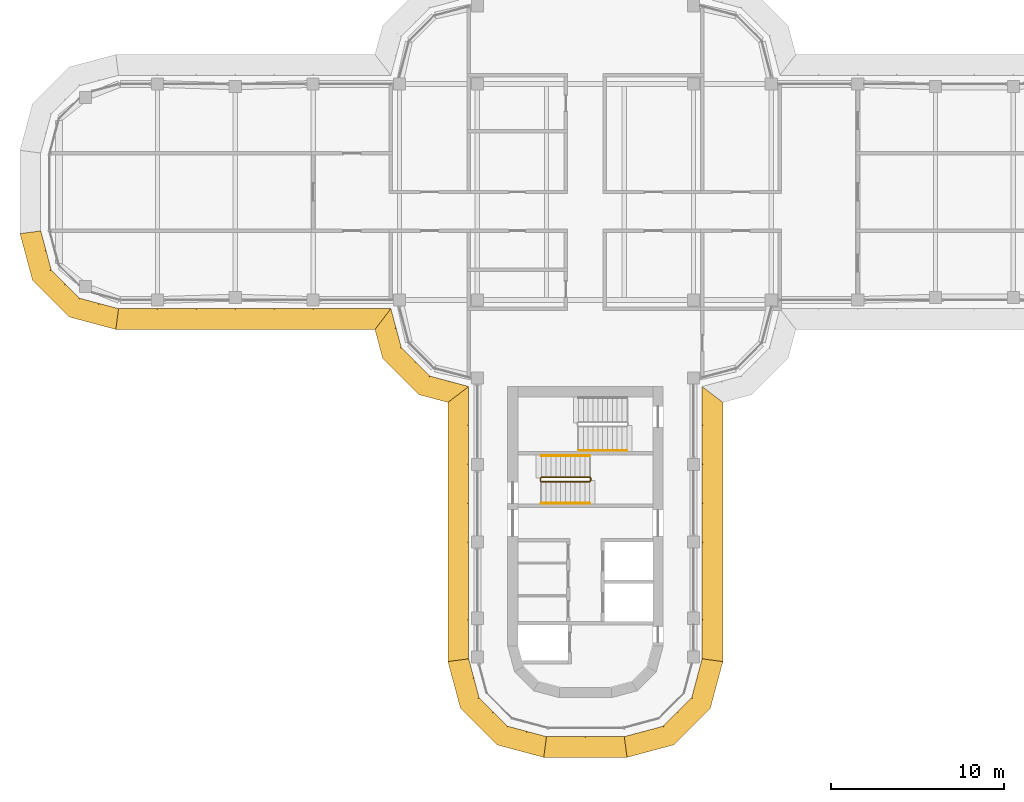
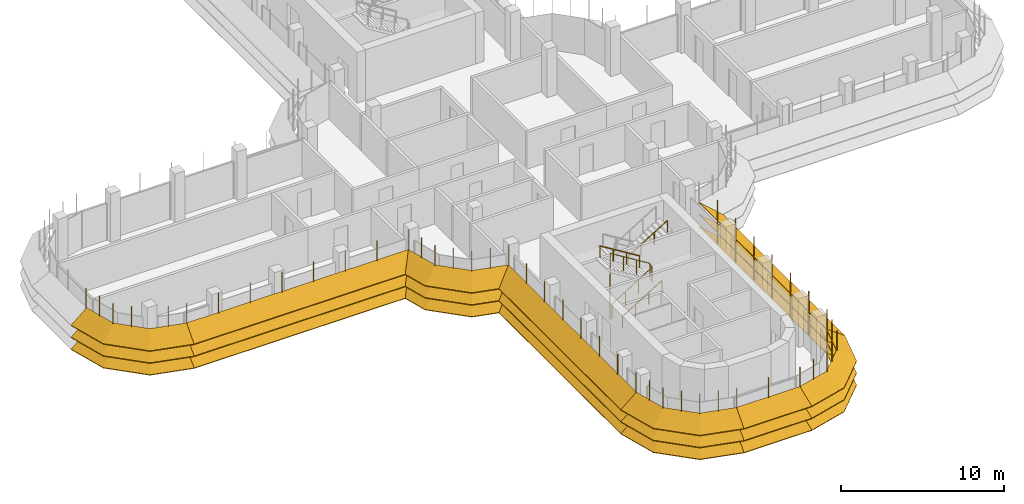
# One storey, part 17 of 19: 8 shading devices, 4 railings.
"""IFC4 building model written with IfcOpenShell, lengths in metres."""

from ifc_helpers import new_model, si_unit, direction, frame, origin, origin_2d, place, context, subcontext, project, spatial, polyline, circle, outline, extrude, faceted_brep, source, transform, mapped, material, type_object, element, save


model = new_model("IFC4")

# Units and contexts
model_context = context("Model", 3, precision=1e-05, world=origin(), true_north=direction((0.0, 1.0)))
body_context = subcontext(model_context, "Body", "Model", "MODEL_VIEW")
ifc_project = project(units=[si_unit("LENGTHUNIT", "METRE"), si_unit("AREAUNIT", "SQUARE_METRE"), si_unit("VOLUMEUNIT", "CUBIC_METRE"), si_unit("PLANEANGLEUNIT", "RADIAN"), si_unit("MASSUNIT", "GRAM", prefix="KILO")], contexts=[model_context])

# Site, building, storey
site_placement = place(None, origin())
site = spatial("IfcSite", under=ifc_project, at=site_placement, CompositionType="ELEMENT")
building_placement = place(site_placement, origin())
building = spatial("IfcBuilding", under=site, at=building_placement, Name="Zarbagh Exchange Tower", CompositionType="ELEMENT")
storey_placement = place(building_placement, frame((0.0, 0.0, 195.39990234375)))
storey = spatial("IfcBuildingStorey", under=building, at=storey_placement, Name="L47", CompositionType="ELEMENT", Elevation=195.39990234375)

# Railings
ifc_material_1 = material(Name="Stainless steel", Category="steel")
railing_type_1 = type_object("IfcRailingType", Name="Stair guard 1100 mm", PredefinedType="GUARDRAIL", material=ifc_material_1)
railing_1_placement = place(storey_placement, frame((-2.550048828125, -16.75, 0.1728515625)))
element("IfcRailing", 1, at=railing_1_placement, inside=storey, type_object=railing_type_1, Name="ST3 stair guard 1", PredefinedType="GUARDRAIL", context=body_context, shape_type="SweptSolid", body=[
    extrude(circle(Radius=0.02392578125, at=origin_2d()), frame((0.0, 0.0, 1.076171875), z_axis=(0.851089632645, 0.0, 0.525020415988), x_axis=(0.0, 1.0, 0.0)), (0.0, 0.0, 1.0), 3.2900390625),
    extrude(circle(Radius=0.02392578125, at=origin_2d()), frame((2.800048828125, 0.0, 2.80322265625), z_axis=(0.707106781187, 0.707106781187, 0.0), x_axis=(-0.707106781187, 0.707106781187, 0.0)), (0.0, 0.0, 1.0), 0.07080078125),
    extrude(circle(Radius=0.02392578125, at=origin_2d()), frame((2.85009765625, 0.050048828125, 2.80322265625), z_axis=(0.0, 1.0, 0.0), x_axis=(-1.0, 0.0, 0.0)), (0.0, 0.0, 1.0), 0.14990234375),
    extrude(circle(Radius=0.02392578125, at=origin_2d()), frame((2.85009765625, 0.199951171875, 2.80322265625), z_axis=(-0.268277960024, 0.268277960024, 0.925231793839), x_axis=(-0.707106781187, -0.707106781187, 0.0)), (0.0, 0.0, 1.0), 0.1865234375),
    extrude(circle(Radius=0.02392578125, at=origin_2d()), frame((2.800048828125, 0.25, 2.97607421875), z_axis=(-0.851089632645, 0.0, 0.525020415988), x_axis=(0.0, -1.0, 0.0)), (0.0, 0.0, 1.0), 3.2900390625),
    extrude(circle(Radius=0.02392578125, at=origin_2d()), frame((0.0, 0.25, 4.703125), z_axis=(-0.013168290981, -0.013168290981, -0.999826581076), x_axis=(0.707106781187, -0.707106781187, 0.0)), (0.0, 0.0, 1.0), 3.80078125),
    extrude(circle(Radius=0.02392578125, at=origin_2d()), frame((-0.050048828125, 0.199951171875, 0.9033203125), z_axis=(0.0, -1.0, 0.0), x_axis=(1.0, 0.0, 0.0)), (0.0, 0.0, 1.0), 0.14990234375),
    extrude(circle(Radius=0.02099609375, at=origin_2d()), origin(), (0.0, 0.0, 1.0), 1.052001953125),
    extrude(circle(Radius=0.02099609375, at=origin_2d()), frame((0.933349609375, 0.0, 0.57568359375)), (0.0, 0.0, 1.0), 1.052001953125),
    extrude(circle(Radius=0.02099609375, at=origin_2d()), frame((1.86669921875, 0.0, 1.151611328125)), (0.0, 0.0, 1.0), 1.052001953125),
    extrude(circle(Radius=0.02099609375, at=origin_2d()), frame((2.800048828125, 0.0, 1.727294921875)), (0.0, 0.0, 1.0), 1.052001953125),
    extrude(circle(Radius=0.02099609375, at=origin_2d()), frame((2.85009765625, 0.050048828125, 1.727294921875)), (0.0, 0.0, 1.0), 1.052001953125),
    extrude(circle(Radius=0.02099609375, at=origin_2d()), frame((2.85009765625, 0.199951171875, 1.727294921875)), (0.0, 0.0, 1.0), 1.052001953125),
    extrude(circle(Radius=0.02099609375, at=origin_2d()), frame((2.800048828125, 0.25, 1.89990234375)), (0.0, 0.0, 1.0), 1.052001953125),
    extrude(circle(Radius=0.02099609375, at=origin_2d()), frame((1.86669921875, 0.25, 2.4755859375)), (0.0, 0.0, 1.0), 1.052001953125),
    extrude(circle(Radius=0.02099609375, at=origin_2d()), frame((0.933349609375, 0.25, 3.051513671875)), (0.0, 0.0, 1.0), 1.052001953125),
    extrude(circle(Radius=0.02099609375, at=origin_2d()), frame((0.0, 0.25, 3.627197265625)), (0.0, 0.0, 1.0), 1.052001953125),
    extrude(circle(Radius=0.02099609375, at=origin_2d()), frame((-0.012451171875, 0.237548828125, 2.67724609375)), (0.0, 0.0, 1.0), 1.052001953125),
    extrude(circle(Radius=0.02099609375, at=origin_2d()), frame((-0.02490234375, 0.22509765625, 1.72705078125)), (0.0, 0.0, 1.0), 1.052001953125),
    extrude(circle(Radius=0.02099609375, at=origin_2d()), frame((-0.03759765625, 0.21240234375, 0.777099609375)), (0.0, 0.0, 1.0), 1.052001953125),
    extrude(circle(Radius=0.02099609375, at=origin_2d()), frame((-0.050048828125, 0.199951171875, -0.1728515625)), (0.0, 0.0, 1.0), 1.052001953125),
    extrude(circle(Radius=0.02099609375, at=origin_2d()), frame((-0.050048828125, 0.050048828125, -0.1728515625)), (0.0, 0.0, 1.0), 1.052001953125),
])
railing_type_2 = type_object("IfcRailingType", Name="Stair handrail 900 mm", PredefinedType="HANDRAIL", material=ifc_material_1)
railing_2_placement = place(storey_placement, frame((-2.550048828125, -18.0, 0.1728515625)))
element("IfcRailing", 2, at=railing_2_placement, inside=storey, type_object=railing_type_2, Name="ST3 stair handrail 1", PredefinedType="HANDRAIL", context=body_context, shape_type="SweptSolid", body=[
    extrude(circle(Radius=0.02392578125, at=origin_2d()), frame((0.0, 0.0, 0.8759765625), z_axis=(0.851089632645, 0.0, 0.525020415988), x_axis=(0.0, 1.0, 0.0)), (0.0, 0.0, 1.0), 3.2900390625),
    extrude(circle(Radius=0.02099609375, at=origin_2d()), origin(), (0.0, 0.0, 1.0), 0.851806640625),
    extrude(circle(Radius=0.02099609375, at=origin_2d()), frame((0.933349609375, 0.0, 0.57568359375)), (0.0, 0.0, 1.0), 0.851806640625),
    extrude(circle(Radius=0.02099609375, at=origin_2d()), frame((1.86669921875, 0.0, 1.151611328125)), (0.0, 0.0, 1.0), 0.851806640625),
    extrude(circle(Radius=0.02099609375, at=origin_2d()), frame((2.800048828125, 0.0, 1.727294921875)), (0.0, 0.0, 1.0), 0.851806640625),
])
railing_3_placement = place(storey_placement, frame((0.25, -15.25, 2.07275390625)))
element("IfcRailing", 3, at=railing_3_placement, inside=storey, type_object=railing_type_2, Name="ST3 stair handrail 2", PredefinedType="HANDRAIL", context=body_context, shape_type="SweptSolid", body=[
    extrude(circle(Radius=0.02392578125, at=origin_2d()), frame((0.0, 0.0, 0.8759765625), z_axis=(-0.851089632645, 0.0, 0.525020415988), x_axis=(0.0, -1.0, 0.0)), (0.0, 0.0, 1.0), 3.2900390625),
    extrude(circle(Radius=0.02099609375, at=origin_2d()), origin(), (0.0, 0.0, 1.0), 0.851806640625),
    extrude(circle(Radius=0.02099609375, at=origin_2d()), frame((-0.933349609375, 0.0, 0.57568359375)), (0.0, 0.0, 1.0), 0.851806640625),
    extrude(circle(Radius=0.02099609375, at=origin_2d()), frame((-1.86669921875, 0.0, 1.151611328125)), (0.0, 0.0, 1.0), 0.851806640625),
    extrude(circle(Radius=0.02099609375, at=origin_2d()), frame((-2.800048828125, 0.0, 1.727294921875)), (0.0, 0.0, 1.0), 0.851806640625),
])
railing_4_placement = place(storey_placement, frame((-0.39990234375, -14.949951171875, 2.07275390625)))
element("IfcRailing", 4, at=railing_4_placement, inside=storey, type_object=railing_type_2, Name="ST4 stair handrail 2", PredefinedType="HANDRAIL", context=body_context, shape_type="SweptSolid", body=[
    extrude(circle(Radius=0.02392578125, at=origin_2d()), frame((0.0, 0.0, 0.8759765625), z_axis=(0.851069175582, 0.0, 0.525053576669), x_axis=(0.0, 1.0, 0.0)), (0.0, 0.0, 1.0), 3.289794921875),
    extrude(circle(Radius=0.02099609375, at=origin_2d()), origin(), (0.0, 0.0, 1.0), 0.851806640625),
    extrude(circle(Radius=0.02099609375, at=origin_2d()), frame((0.933349609375, 0.0, 0.57568359375)), (0.0, 0.0, 1.0), 0.851806640625),
    extrude(circle(Radius=0.02099609375, at=origin_2d()), frame((1.866455078125, 0.0, 1.151611328125)), (0.0, 0.0, 1.0), 0.851806640625),
    extrude(circle(Radius=0.02099609375, at=origin_2d()), frame((2.7998046875, 0.0, 1.727294921875)), (0.0, 0.0, 1.0), 0.851806640625),
])

# Shading devices
ifc_material_2 = material(Name="Anodised aluminium blades and brackets", Category="aluminium")
shading_device_type = type_object("IfcShadingDeviceType", Name="SUNSHADE louvre band, 33.75 degree blades", PredefinedType="JALOUSIE", material=ifc_material_2)
shared_shape_1 = source(origin(), body_context, "Body", "Brep", [
    faceted_brep([(0.0, 0.0, 0.0), (0.0, 0.0, -0.048095703125), (-0.157958984375, -1.199951171875, -0.849853515625), (-0.157958984375, -1.199951171875, -0.8017578125), (2.65087890625, -1.199951171875, -0.8017578125), (2.65087890625, -1.199951171875, -0.849853515625), (2.329345703125, 0.0, -0.048095703125), (2.329345703125, 0.0, 0.0)], [[[0, 1, 2, 3]], [[4, 5, 6, 7]], [[0, 7, 6, 1]], [[1, 6, 5, 2]], [[2, 5, 4, 3]], [[3, 4, 7, 0]]]),
])
shared_shape_2 = source(origin(), body_context, "Body", "Brep", [
    faceted_brep([(0.0, 0.0, 0.0), (0.0, 0.0, -0.048095703125), (-0.321533203125, -1.199951171875, -0.849853515625), (-0.321533203125, -1.199951171875, -0.8017578125), (2.65087890625, -1.199951171875, -0.8017578125), (2.65087890625, -1.199951171875, -0.849853515625), (2.329345703125, 0.0, -0.048095703125), (2.329345703125, 0.0, 0.0)], [[[0, 1, 2, 3]], [[4, 5, 6, 7]], [[0, 7, 6, 1]], [[1, 6, 5, 2]], [[2, 5, 4, 3]], [[3, 4, 7, 0]]]),
])
shared_shape_3 = source(origin(), body_context, "Body", "Brep", [
    faceted_brep([(0.0, 0.0, 0.0), (0.0, 0.0, -0.048095703125), (-0.321533203125, -1.199951171875, -0.849853515625), (-0.321533203125, -1.199951171875, -0.8017578125), (2.4873046875, -1.199951171875, -0.8017578125), (2.4873046875, -1.199951171875, -0.849853515625), (2.329345703125, 0.0, -0.048095703125), (2.329345703125, 0.0, 0.0)], [[[0, 1, 2, 3]], [[4, 5, 6, 7]], [[0, 7, 6, 1]], [[1, 6, 5, 2]], [[2, 5, 4, 3]], [[3, 4, 7, 0]]]),
])
shared_shape_4 = source(origin(), body_context, "Body", "SweptSolid", [
    extrude(outline(polyline([(0.0, -0.012451171875), (0.06005859375, -0.012451171875), (0.06005859375, 0.012451171875), (0.0, 0.012451171875), (0.0, -0.012451171875)])), origin(), (0.0, 0.0, 1.0), 3.358154296875),
])
placement = place(storey_placement, origin())
element("IfcShadingDevice", 5, at=placement, inside=storey, type_object=shading_device_type, Name="SS35 sunshade band", PredefinedType="JALOUSIE", context=body_context, shape_type="MappedRepresentation", body=[
    mapped(shared_shape_1, transform((2.25, -31.5, 2.300048828125), x_axis=(0.965924289636, 0.258824779902, 0.0), y_axis=(-0.258824779902, 0.965924289636, 0.0), z_axis=(0.0, 0.0, 1.0))),
    mapped(shared_shape_1, transform((2.25, -31.5, 1.400146484375), x_axis=(0.965924289636, 0.258824779902, 0.0), y_axis=(-0.258824779902, 0.965924289636, 0.0), z_axis=(0.0, 0.0, 1.0))),
    mapped(shared_shape_1, transform((2.25, -31.5, 0.5), x_axis=(0.965924289636, 0.258824779902, 0.0), y_axis=(-0.258824779902, 0.965924289636, 0.0), z_axis=(0.0, 0.0, 1.0))),
    mapped(shared_shape_2, transform((4.5, -30.897216796875, 2.300048828125), x_axis=(0.707106781187, 0.707106781187, 0.0), y_axis=(-0.707106781187, 0.707106781187, 0.0), z_axis=(0.0, 0.0, 1.0))),
    mapped(shared_shape_2, transform((4.5, -30.897216796875, 1.400146484375), x_axis=(0.707106781187, 0.707106781187, 0.0), y_axis=(-0.707106781187, 0.707106781187, 0.0), z_axis=(0.0, 0.0, 1.0))),
    mapped(shared_shape_2, transform((4.5, -30.897216796875, 0.5), x_axis=(0.707106781187, 0.707106781187, 0.0), y_axis=(-0.707106781187, 0.707106781187, 0.0), z_axis=(0.0, 0.0, 1.0))),
    mapped(shared_shape_3, transform((6.147216796875, -29.25, 2.300048828125), x_axis=(0.258824779902, 0.965924289636, 0.0), y_axis=(-0.965924289636, 0.258824779902, 0.0), z_axis=(0.0, 0.0, 1.0))),
    mapped(shared_shape_3, transform((6.147216796875, -29.25, 1.400146484375), x_axis=(0.258824779902, 0.965924289636, 0.0), y_axis=(-0.965924289636, 0.258824779902, 0.0), z_axis=(0.0, 0.0, 1.0))),
    mapped(shared_shape_3, transform((6.147216796875, -29.25, 0.5), x_axis=(0.258824779902, 0.965924289636, 0.0), y_axis=(-0.965924289636, 0.258824779902, 0.0), z_axis=(0.0, 0.0, 1.0))),
    mapped(shared_shape_4, transform((2.25, -31.5, 0.421875), x_axis=(0.130529263012, -0.991444457092, 0.0), y_axis=(0.991444457092, 0.130529263012, 0.0), z_axis=(0.0, 0.0, 1.0))),
    mapped(shared_shape_4, transform((3.375, -31.198486328125, 0.421875), x_axis=(0.258825058029, -0.96592421511, 0.0), y_axis=(0.96592421511, 0.258825058029, 0.0), z_axis=(0.0, 0.0, 1.0))),
    mapped(shared_shape_4, transform((4.5, -30.897216796875, 0.421875), x_axis=(0.50000275701, -0.866023812018, 0.0), y_axis=(0.866023812018, 0.50000275701, 0.0), z_axis=(0.0, 0.0, 1.0))),
    mapped(shared_shape_4, transform((5.323486328125, -30.073486328125, 0.421875), x_axis=(0.707106781187, -0.707106781187, 0.0), y_axis=(0.707106781187, 0.707106781187, 0.0), z_axis=(0.0, 0.0, 1.0))),
    mapped(shared_shape_4, transform((6.147216796875, -29.25, 0.421875), x_axis=(0.866023812018, -0.50000275701, 0.0), y_axis=(0.50000275701, 0.866023812018, 0.0), z_axis=(0.0, 0.0, 1.0))),
    mapped(shared_shape_4, transform((6.448486328125, -28.125, 0.421875), x_axis=(0.96592421511, -0.258825058029, 0.0), y_axis=(0.258825058029, 0.96592421511, 0.0), z_axis=(0.0, 0.0, 1.0))),
])
element("IfcShadingDevice", 6, at=placement, inside=storey, type_object=shading_device_type, Name="SS43 sunshade band", PredefinedType="JALOUSIE", context=body_context, shape_type="MappedRepresentation", body=[
    mapped(shared_shape_1, transform((-31.5, -2.25, 2.300048828125), x_axis=(0.258824779902, -0.965924289636, 0.0), y_axis=(0.965924289636, 0.258824779902, 0.0), z_axis=(0.0, 0.0, 1.0))),
    mapped(shared_shape_1, transform((-31.5, -2.25, 1.400146484375), x_axis=(0.258824779902, -0.965924289636, 0.0), y_axis=(0.965924289636, 0.258824779902, 0.0), z_axis=(0.0, 0.0, 1.0))),
    mapped(shared_shape_1, transform((-31.5, -2.25, 0.5), x_axis=(0.258824779902, -0.965924289636, 0.0), y_axis=(0.965924289636, 0.258824779902, 0.0), z_axis=(0.0, 0.0, 1.0))),
    mapped(shared_shape_2, transform((-30.897216796875, -4.5, 2.300048828125), x_axis=(0.707106781187, -0.707106781187, 0.0), y_axis=(0.707106781187, 0.707106781187, 0.0), z_axis=(0.0, 0.0, 1.0))),
    mapped(shared_shape_2, transform((-30.897216796875, -4.5, 1.400146484375), x_axis=(0.707106781187, -0.707106781187, 0.0), y_axis=(0.707106781187, 0.707106781187, 0.0), z_axis=(0.0, 0.0, 1.0))),
    mapped(shared_shape_2, transform((-30.897216796875, -4.5, 0.5), x_axis=(0.707106781187, -0.707106781187, 0.0), y_axis=(0.707106781187, 0.707106781187, 0.0), z_axis=(0.0, 0.0, 1.0))),
    mapped(shared_shape_3, transform((-29.25, -6.147216796875, 2.300048828125), x_axis=(0.965924289636, -0.258824779902, 0.0), y_axis=(0.258824779902, 0.965924289636, 0.0), z_axis=(0.0, 0.0, 1.0))),
    mapped(shared_shape_3, transform((-29.25, -6.147216796875, 1.400146484375), x_axis=(0.965924289636, -0.258824779902, 0.0), y_axis=(0.258824779902, 0.965924289636, 0.0), z_axis=(0.0, 0.0, 1.0))),
    mapped(shared_shape_3, transform((-29.25, -6.147216796875, 0.5), x_axis=(0.965924289636, -0.258824779902, 0.0), y_axis=(0.258824779902, 0.965924289636, 0.0), z_axis=(0.0, 0.0, 1.0))),
    mapped(shared_shape_4, transform((-31.5, -2.25, 0.421875), x_axis=(-0.991444457092, -0.130529263012, 0.0), y_axis=(0.130529263012, -0.991444457092, 0.0), z_axis=(0.0, 0.0, 1.0))),
    mapped(shared_shape_4, transform((-31.198486328125, -3.375, 0.421875), x_axis=(-0.96592421511, -0.258825058029, 0.0), y_axis=(0.258825058029, -0.96592421511, 0.0), z_axis=(0.0, 0.0, 1.0))),
    mapped(shared_shape_4, transform((-30.897216796875, -4.5, 0.421875), x_axis=(-0.866023812018, -0.50000275701, 0.0), y_axis=(0.50000275701, -0.866023812018, 0.0), z_axis=(0.0, 0.0, 1.0))),
    mapped(shared_shape_4, transform((-30.073486328125, -5.323486328125, 0.421875), x_axis=(-0.707106781187, -0.707106781187, 0.0), y_axis=(0.707106781187, -0.707106781187, 0.0), z_axis=(0.0, 0.0, 1.0))),
    mapped(shared_shape_4, transform((-29.25, -6.147216796875, 0.421875), x_axis=(-0.50000275701, -0.866023812018, 0.0), y_axis=(0.866023812018, -0.50000275701, 0.0), z_axis=(0.0, 0.0, 1.0))),
    mapped(shared_shape_4, transform((-28.125, -6.448486328125, 0.421875), x_axis=(-0.258825058029, -0.96592421511, 0.0), y_axis=(0.96592421511, -0.258825058029, 0.0), z_axis=(0.0, 0.0, 1.0))),
])
element("IfcShadingDevice", 7, at=placement, inside=storey, type_object=shading_device_type, Name="SS38 sunshade band", PredefinedType="JALOUSIE", context=body_context, shape_type="MappedRepresentation", body=[
    mapped(shared_shape_1, transform((-6.75, -27.0, 2.300048828125), x_axis=(0.258824779902, -0.965924289636, 0.0), y_axis=(0.965924289636, 0.258824779902, 0.0), z_axis=(0.0, 0.0, 1.0))),
    mapped(shared_shape_1, transform((-6.75, -27.0, 1.400146484375), x_axis=(0.258824779902, -0.965924289636, 0.0), y_axis=(0.965924289636, 0.258824779902, 0.0), z_axis=(0.0, 0.0, 1.0))),
    mapped(shared_shape_1, transform((-6.75, -27.0, 0.5), x_axis=(0.258824779902, -0.965924289636, 0.0), y_axis=(0.965924289636, 0.258824779902, 0.0), z_axis=(0.0, 0.0, 1.0))),
    mapped(shared_shape_2, transform((-6.147216796875, -29.25, 2.300048828125), x_axis=(0.707106781187, -0.707106781187, 0.0), y_axis=(0.707106781187, 0.707106781187, 0.0), z_axis=(0.0, 0.0, 1.0))),
    mapped(shared_shape_2, transform((-6.147216796875, -29.25, 1.400146484375), x_axis=(0.707106781187, -0.707106781187, 0.0), y_axis=(0.707106781187, 0.707106781187, 0.0), z_axis=(0.0, 0.0, 1.0))),
    mapped(shared_shape_2, transform((-6.147216796875, -29.25, 0.5), x_axis=(0.707106781187, -0.707106781187, 0.0), y_axis=(0.707106781187, 0.707106781187, 0.0), z_axis=(0.0, 0.0, 1.0))),
    mapped(shared_shape_3, transform((-4.5, -30.897216796875, 2.300048828125), x_axis=(0.965924289636, -0.258824779902, 0.0), y_axis=(0.258824779902, 0.965924289636, 0.0), z_axis=(0.0, 0.0, 1.0))),
    mapped(shared_shape_3, transform((-4.5, -30.897216796875, 1.400146484375), x_axis=(0.965924289636, -0.258824779902, 0.0), y_axis=(0.258824779902, 0.965924289636, 0.0), z_axis=(0.0, 0.0, 1.0))),
    mapped(shared_shape_3, transform((-4.5, -30.897216796875, 0.5), x_axis=(0.965924289636, -0.258824779902, 0.0), y_axis=(0.258824779902, 0.965924289636, 0.0), z_axis=(0.0, 0.0, 1.0))),
    mapped(shared_shape_4, transform((-6.75, -27.0, 0.421875), x_axis=(-0.991444457092, -0.130529263012, 0.0), y_axis=(0.130529263012, -0.991444457092, 0.0), z_axis=(0.0, 0.0, 1.0))),
    mapped(shared_shape_4, transform((-6.448486328125, -28.125, 0.421875), x_axis=(-0.96592421511, -0.258825058029, 0.0), y_axis=(0.258825058029, -0.96592421511, 0.0), z_axis=(0.0, 0.0, 1.0))),
    mapped(shared_shape_4, transform((-6.147216796875, -29.25, 0.421875), x_axis=(-0.866023812018, -0.50000275701, 0.0), y_axis=(0.50000275701, -0.866023812018, 0.0), z_axis=(0.0, 0.0, 1.0))),
    mapped(shared_shape_4, transform((-5.323486328125, -30.073486328125, 0.421875), x_axis=(-0.707106781187, -0.707106781187, 0.0), y_axis=(0.707106781187, -0.707106781187, 0.0), z_axis=(0.0, 0.0, 1.0))),
    mapped(shared_shape_4, transform((-4.5, -30.897216796875, 0.421875), x_axis=(-0.50000275701, -0.866023812018, 0.0), y_axis=(0.866023812018, -0.50000275701, 0.0), z_axis=(0.0, 0.0, 1.0))),
    mapped(shared_shape_4, transform((-3.375, -31.198486328125, 0.421875), x_axis=(-0.258825058029, -0.96592421511, 0.0), y_axis=(0.96592421511, -0.258825058029, 0.0), z_axis=(0.0, 0.0, 1.0))),
])
shared_shape_5 = source(origin(), body_context, "Body", "Brep", [
    faceted_brep([(0.0, 0.0, 0.0), (0.0, 0.0, -0.048095703125), (0.9208984375, -1.199951171875, -0.849853515625), (0.9208984375, -1.199951171875, -0.8017578125), (2.65087890625, -1.199951171875, -0.8017578125), (2.65087890625, -1.199951171875, -0.849853515625), (2.329345703125, 0.0, -0.048095703125), (2.329345703125, 0.0, 0.0)], [[[0, 1, 2, 3]], [[4, 5, 6, 7]], [[0, 7, 6, 1]], [[1, 6, 5, 2]], [[2, 5, 4, 3]], [[3, 4, 7, 0]]]),
])
shared_shape_6 = source(origin(), body_context, "Body", "Brep", [
    faceted_brep([(0.0, 0.0, 0.0), (0.0, 0.0, -0.048095703125), (-0.321533203125, -1.199951171875, -0.849853515625), (-0.321533203125, -1.199951171875, -0.8017578125), (1.40869140625, -1.199951171875, -0.8017578125), (1.40869140625, -1.199951171875, -0.849853515625), (2.329345703125, 0.0, -0.048095703125), (2.329345703125, 0.0, 0.0)], [[[0, 1, 2, 3]], [[4, 5, 6, 7]], [[0, 7, 6, 1]], [[1, 6, 5, 2]], [[2, 5, 4, 3]], [[3, 4, 7, 0]]]),
])
element("IfcShadingDevice", 8, at=placement, inside=storey, type_object=shading_device_type, Name="SS21 sunshade band", PredefinedType="JALOUSIE", context=body_context, shape_type="MappedRepresentation", body=[
    mapped(shared_shape_5, transform((-11.25, -6.75, 2.300048828125), x_axis=(0.258824779902, -0.965924289636, 0.0), y_axis=(0.965924289636, 0.258824779902, 0.0), z_axis=(0.0, 0.0, 1.0))),
    mapped(shared_shape_5, transform((-11.25, -6.75, 1.400146484375), x_axis=(0.258824779902, -0.965924289636, 0.0), y_axis=(0.965924289636, 0.258824779902, 0.0), z_axis=(0.0, 0.0, 1.0))),
    mapped(shared_shape_5, transform((-11.25, -6.75, 0.5), x_axis=(0.258824779902, -0.965924289636, 0.0), y_axis=(0.965924289636, 0.258824779902, 0.0), z_axis=(0.0, 0.0, 1.0))),
    mapped(shared_shape_2, transform((-10.647216796875, -9.0, 2.300048828125), x_axis=(0.707106781187, -0.707106781187, 0.0), y_axis=(0.707106781187, 0.707106781187, 0.0), z_axis=(0.0, 0.0, 1.0))),
    mapped(shared_shape_2, transform((-10.647216796875, -9.0, 1.400146484375), x_axis=(0.707106781187, -0.707106781187, 0.0), y_axis=(0.707106781187, 0.707106781187, 0.0), z_axis=(0.0, 0.0, 1.0))),
    mapped(shared_shape_2, transform((-10.647216796875, -9.0, 0.5), x_axis=(0.707106781187, -0.707106781187, 0.0), y_axis=(0.707106781187, 0.707106781187, 0.0), z_axis=(0.0, 0.0, 1.0))),
    mapped(shared_shape_6, transform((-9.0, -10.647216796875, 2.300048828125), x_axis=(0.965924289636, -0.258824779902, 0.0), y_axis=(0.258824779902, 0.965924289636, 0.0), z_axis=(0.0, 0.0, 1.0))),
    mapped(shared_shape_6, transform((-9.0, -10.647216796875, 1.400146484375), x_axis=(0.965924289636, -0.258824779902, 0.0), y_axis=(0.258824779902, 0.965924289636, 0.0), z_axis=(0.0, 0.0, 1.0))),
    mapped(shared_shape_6, transform((-9.0, -10.647216796875, 0.5), x_axis=(0.965924289636, -0.258824779902, 0.0), y_axis=(0.258824779902, 0.965924289636, 0.0), z_axis=(0.0, 0.0, 1.0))),
    mapped(shared_shape_4, transform((-11.25, -6.75, 0.421875), x_axis=(-0.608758892, -0.793355287, 0.0), y_axis=(0.793355287, -0.608758892, 0.0), z_axis=(0.0, 0.0, 1.0))),
    mapped(shared_shape_4, transform((-10.948486328125, -7.875, 0.421875), x_axis=(-0.96592421511, -0.258825058029, 0.0), y_axis=(0.258825058029, -0.96592421511, 0.0), z_axis=(0.0, 0.0, 1.0))),
    mapped(shared_shape_4, transform((-10.647216796875, -9.0, 0.421875), x_axis=(-0.866023812018, -0.50000275701, 0.0), y_axis=(0.50000275701, -0.866023812018, 0.0), z_axis=(0.0, 0.0, 1.0))),
    mapped(shared_shape_4, transform((-9.823486328125, -9.823486328125, 0.421875), x_axis=(-0.707106781187, -0.707106781187, 0.0), y_axis=(0.707106781187, -0.707106781187, 0.0), z_axis=(0.0, 0.0, 1.0))),
    mapped(shared_shape_4, transform((-9.0, -10.647216796875, 0.421875), x_axis=(-0.50000275701, -0.866023812018, 0.0), y_axis=(0.866023812018, -0.50000275701, 0.0), z_axis=(0.0, 0.0, 1.0))),
    mapped(shared_shape_4, transform((-7.875, -10.948486328125, 0.421875), x_axis=(-0.258825058029, -0.96592421511, 0.0), y_axis=(0.96592421511, -0.258825058029, 0.0), z_axis=(0.0, 0.0, 1.0))),
])
shared_shape_7 = source(origin(), body_context, "Body", "Brep", [
    faceted_brep([(0.0, 0.0, 0.0), (0.0, 0.0, -0.048095703125), (-0.157958984375, -1.199951171875, -0.849853515625), (-0.157958984375, -1.199951171875, -0.8017578125), (14.8291015625, -1.199951171875, -0.8017578125), (14.8291015625, -1.199951171875, -0.849853515625), (15.75, 0.0, -0.048095703125), (15.75, 0.0, 0.0)], [[[0, 1, 2, 3]], [[4, 5, 6, 7]], [[0, 7, 6, 1]], [[1, 6, 5, 2]], [[2, 5, 4, 3]], [[3, 4, 7, 0]]]),
])
element("IfcShadingDevice", 9, at=placement, inside=storey, type_object=shading_device_type, Name="SS36 sunshade band", PredefinedType="JALOUSIE", context=body_context, shape_type="MappedRepresentation", body=[
    mapped(shared_shape_7, transform((6.75, -27.0, 2.300048828125), x_axis=(0.0, 1.0, 0.0), y_axis=(-1.0, 0.0, 0.0), z_axis=(0.0, 0.0, 1.0))),
    mapped(shared_shape_7, transform((6.75, -27.0, 1.400146484375), x_axis=(0.0, 1.0, 0.0), y_axis=(-1.0, 0.0, 0.0), z_axis=(0.0, 0.0, 1.0))),
    mapped(shared_shape_7, transform((6.75, -27.0, 0.5), x_axis=(0.0, 1.0, 0.0), y_axis=(-1.0, 0.0, 0.0), z_axis=(0.0, 0.0, 1.0))),
    mapped(shared_shape_4, transform((6.75, -27.0, 0.421875), x_axis=(0.991444457092, -0.130529263012, 0.0), y_axis=(0.130529263012, 0.991444457092, 0.0), z_axis=(0.0, 0.0, 1.0))),
    mapped(shared_shape_4, transform((6.75, -24.75, 0.421875), x_axis=(1.0, 0.0, 0.0), y_axis=(0.0, 1.0, 0.0), z_axis=(0.0, 0.0, 1.0))),
    mapped(shared_shape_4, transform((6.75, -22.5, 0.421875), x_axis=(1.0, 0.0, 0.0), y_axis=(0.0, 1.0, 0.0), z_axis=(0.0, 0.0, 1.0))),
    mapped(shared_shape_4, transform((6.75, -20.25, 0.421875), x_axis=(1.0, 0.0, 0.0), y_axis=(0.0, 1.0, 0.0), z_axis=(0.0, 0.0, 1.0))),
    mapped(shared_shape_4, transform((6.75, -18.0, 0.421875), x_axis=(1.0, 0.0, 0.0), y_axis=(0.0, 1.0, 0.0), z_axis=(0.0, 0.0, 1.0))),
    mapped(shared_shape_4, transform((6.75, -15.75, 0.421875), x_axis=(1.0, 0.0, 0.0), y_axis=(0.0, 1.0, 0.0), z_axis=(0.0, 0.0, 1.0))),
    mapped(shared_shape_4, transform((6.75, -13.5, 0.421875), x_axis=(1.0, 0.0, 0.0), y_axis=(0.0, 1.0, 0.0), z_axis=(0.0, 0.0, 1.0))),
])
element("IfcShadingDevice", 10, at=placement, inside=storey, type_object=shading_device_type, Name="SS44 sunshade band", PredefinedType="JALOUSIE", context=body_context, shape_type="MappedRepresentation", body=[
    mapped(shared_shape_7, transform((-27.0, -6.75, 2.300048828125), x_axis=(1.0, 0.0, 0.0), y_axis=(0.0, 1.0, 0.0), z_axis=(0.0, 0.0, 1.0))),
    mapped(shared_shape_7, transform((-27.0, -6.75, 1.400146484375), x_axis=(1.0, 0.0, 0.0), y_axis=(0.0, 1.0, 0.0), z_axis=(0.0, 0.0, 1.0))),
    mapped(shared_shape_7, transform((-27.0, -6.75, 0.5), x_axis=(1.0, 0.0, 0.0), y_axis=(0.0, 1.0, 0.0), z_axis=(0.0, 0.0, 1.0))),
    mapped(shared_shape_4, transform((-27.0, -6.75, 0.421875), x_axis=(-0.130529263012, -0.991444457092, 0.0), y_axis=(0.991444457092, -0.130529263012, 0.0), z_axis=(0.0, 0.0, 1.0))),
    mapped(shared_shape_4, transform((-24.75, -6.75, 0.421875), x_axis=(0.0, -1.0, 0.0), y_axis=(1.0, 0.0, 0.0), z_axis=(0.0, 0.0, 1.0))),
    mapped(shared_shape_4, transform((-22.5, -6.75, 0.421875), x_axis=(0.0, -1.0, 0.0), y_axis=(1.0, 0.0, 0.0), z_axis=(0.0, 0.0, 1.0))),
    mapped(shared_shape_4, transform((-20.25, -6.75, 0.421875), x_axis=(0.0, -1.0, 0.0), y_axis=(1.0, 0.0, 0.0), z_axis=(0.0, 0.0, 1.0))),
    mapped(shared_shape_4, transform((-18.0, -6.75, 0.421875), x_axis=(0.0, -1.0, 0.0), y_axis=(1.0, 0.0, 0.0), z_axis=(0.0, 0.0, 1.0))),
    mapped(shared_shape_4, transform((-15.75, -6.75, 0.421875), x_axis=(0.0, -1.0, 0.0), y_axis=(1.0, 0.0, 0.0), z_axis=(0.0, 0.0, 1.0))),
    mapped(shared_shape_4, transform((-13.5, -6.75, 0.421875), x_axis=(0.0, -1.0, 0.0), y_axis=(1.0, 0.0, 0.0), z_axis=(0.0, 0.0, 1.0))),
])
shared_shape_8 = source(origin(), body_context, "Body", "Brep", [
    faceted_brep([(0.0, 0.0, 0.0), (0.0, 0.0, -0.048095703125), (0.9208984375, -1.199951171875, -0.849853515625), (0.9208984375, -1.199951171875, -0.8017578125), (15.907958984375, -1.199951171875, -0.8017578125), (15.907958984375, -1.199951171875, -0.849853515625), (15.75, 0.0, -0.048095703125), (15.75, 0.0, 0.0)], [[[0, 1, 2, 3]], [[4, 5, 6, 7]], [[0, 7, 6, 1]], [[1, 6, 5, 2]], [[2, 5, 4, 3]], [[3, 4, 7, 0]]]),
])
element("IfcShadingDevice", 11, at=placement, inside=storey, type_object=shading_device_type, Name="SS37 sunshade band", PredefinedType="JALOUSIE", context=body_context, shape_type="MappedRepresentation", body=[
    mapped(shared_shape_8, transform((-6.75, -11.25, 2.300048828125), x_axis=(0.0, -1.0, 0.0), y_axis=(1.0, 0.0, 0.0), z_axis=(0.0, 0.0, 1.0))),
    mapped(shared_shape_8, transform((-6.75, -11.25, 1.400146484375), x_axis=(0.0, -1.0, 0.0), y_axis=(1.0, 0.0, 0.0), z_axis=(0.0, 0.0, 1.0))),
    mapped(shared_shape_8, transform((-6.75, -11.25, 0.5), x_axis=(0.0, -1.0, 0.0), y_axis=(1.0, 0.0, 0.0), z_axis=(0.0, 0.0, 1.0))),
    mapped(shared_shape_4, transform((-6.75, -11.25, 0.421875), x_axis=(-0.793355287, -0.608758892, 0.0), y_axis=(0.608758892, -0.793355287, 0.0), z_axis=(0.0, 0.0, 1.0))),
    mapped(shared_shape_4, transform((-6.75, -13.5, 0.421875), x_axis=(-1.0, 0.0, 0.0), y_axis=(0.0, -1.0, 0.0), z_axis=(0.0, 0.0, 1.0))),
    mapped(shared_shape_4, transform((-6.75, -15.75, 0.421875), x_axis=(-1.0, 0.0, 0.0), y_axis=(0.0, -1.0, 0.0), z_axis=(0.0, 0.0, 1.0))),
    mapped(shared_shape_4, transform((-6.75, -18.0, 0.421875), x_axis=(-1.0, 0.0, 0.0), y_axis=(0.0, -1.0, 0.0), z_axis=(0.0, 0.0, 1.0))),
    mapped(shared_shape_4, transform((-6.75, -20.25, 0.421875), x_axis=(-1.0, 0.0, 0.0), y_axis=(0.0, -1.0, 0.0), z_axis=(0.0, 0.0, 1.0))),
    mapped(shared_shape_4, transform((-6.75, -22.5, 0.421875), x_axis=(-1.0, 0.0, 0.0), y_axis=(0.0, -1.0, 0.0), z_axis=(0.0, 0.0, 1.0))),
    mapped(shared_shape_4, transform((-6.75, -24.75, 0.421875), x_axis=(-1.0, 0.0, 0.0), y_axis=(0.0, -1.0, 0.0), z_axis=(0.0, 0.0, 1.0))),
])
shared_shape_9 = source(origin(), body_context, "Body", "Brep", [
    faceted_brep([(0.0, 0.0, 0.0), (0.0, 0.0, -0.048095703125), (-0.157958984375, -1.199951171875, -0.849853515625), (-0.157958984375, -1.199951171875, -0.8017578125), (4.657958984375, -1.199951171875, -0.8017578125), (4.657958984375, -1.199951171875, -0.849853515625), (4.5, 0.0, -0.048095703125), (4.5, 0.0, 0.0)], [[[0, 1, 2, 3]], [[4, 5, 6, 7]], [[0, 7, 6, 1]], [[1, 6, 5, 2]], [[2, 5, 4, 3]], [[3, 4, 7, 0]]]),
])
element("IfcShadingDevice", 12, at=placement, inside=storey, type_object=shading_device_type, Name="SS39 sunshade band", PredefinedType="JALOUSIE", context=body_context, shape_type="MappedRepresentation", body=[
    mapped(shared_shape_9, transform((-2.25, -31.5, 2.300048828125), x_axis=(1.0, 0.0, 0.0), y_axis=(0.0, 1.0, 0.0), z_axis=(0.0, 0.0, 1.0))),
    mapped(shared_shape_9, transform((-2.25, -31.5, 1.400146484375), x_axis=(1.0, 0.0, 0.0), y_axis=(0.0, 1.0, 0.0), z_axis=(0.0, 0.0, 1.0))),
    mapped(shared_shape_9, transform((-2.25, -31.5, 0.5), x_axis=(1.0, 0.0, 0.0), y_axis=(0.0, 1.0, 0.0), z_axis=(0.0, 0.0, 1.0))),
    mapped(shared_shape_4, transform((-2.25, -31.5, 0.421875), x_axis=(-0.130529263012, -0.991444457092, 0.0), y_axis=(0.991444457092, -0.130529263012, 0.0), z_axis=(0.0, 0.0, 1.0))),
    mapped(shared_shape_4, transform((0.0, -31.5, 0.421875), x_axis=(0.0, -1.0, 0.0), y_axis=(1.0, 0.0, 0.0), z_axis=(0.0, 0.0, 1.0))),
])

save(model, "model.ifc")
